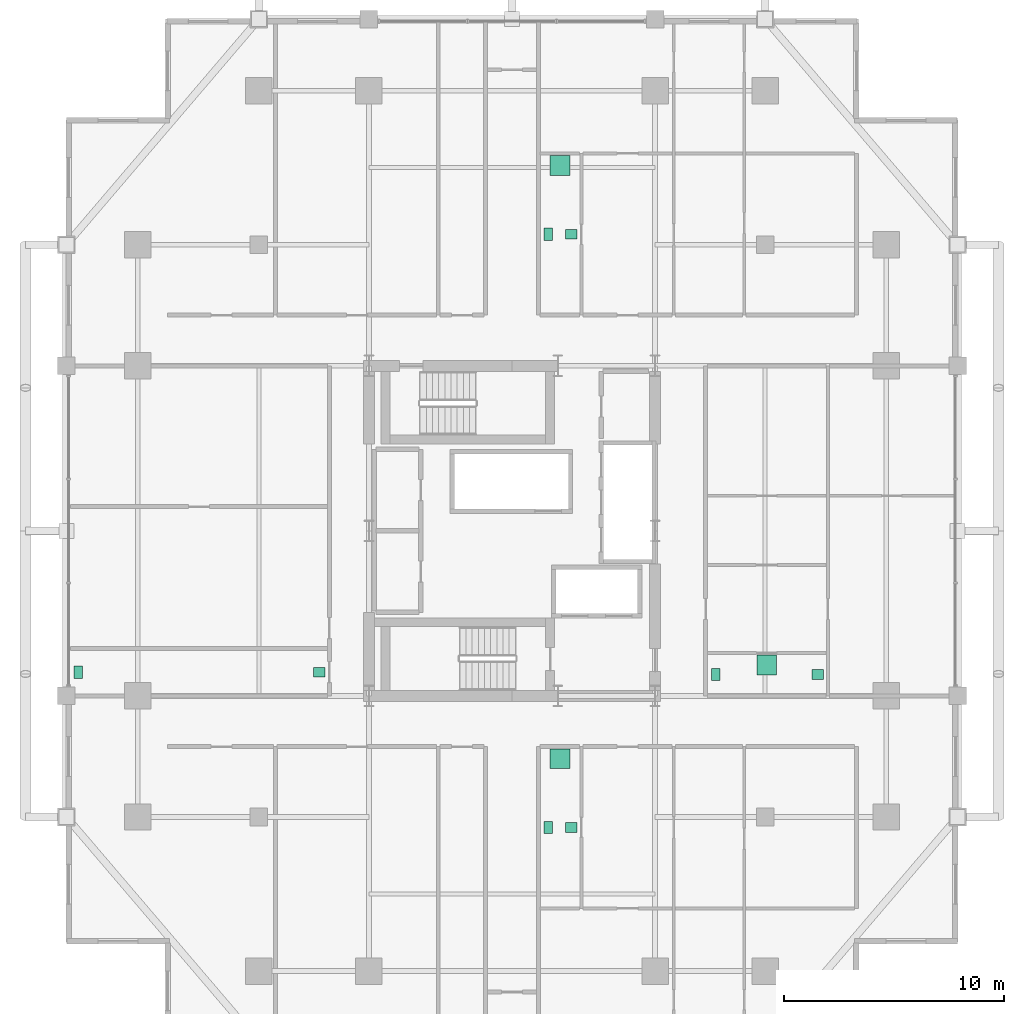
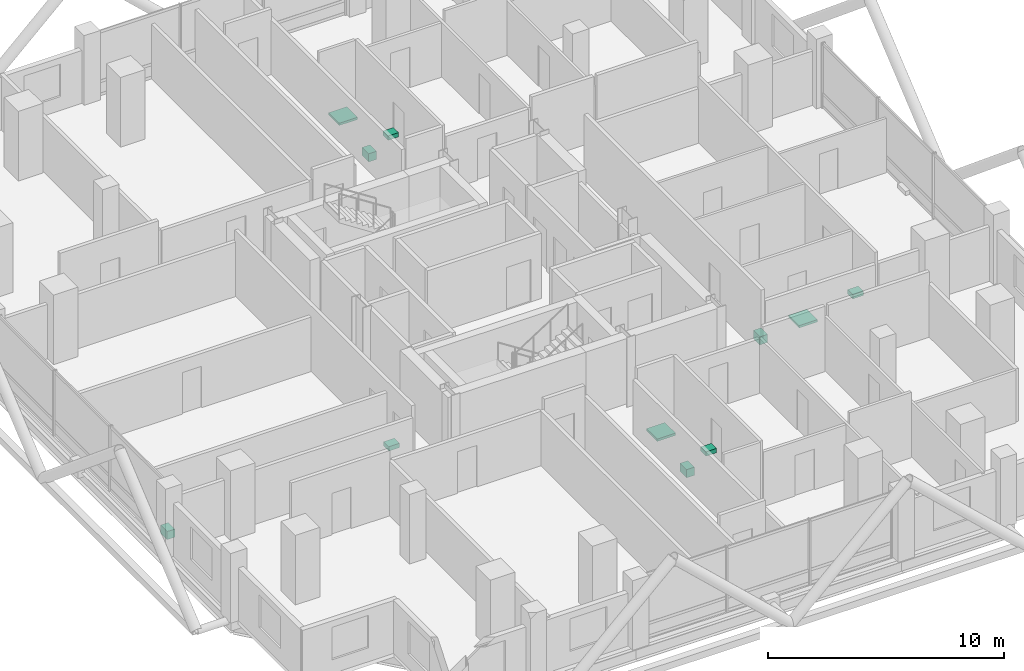
# One storey, part 24 of 24: 11 sanitary terminals.
"""IFC4 building model written with IfcOpenShell, lengths in metres."""

import ifcopenshell
import ifcopenshell.guid

model = None  # the IFC model being written
_history = None  # IfcOwnerHistory: only IFC2X3 demands one
_inside = {}  # id of a spatial element -> (the spatial element, [elements in it])
_under = {}  # id of a project, library or spatial element -> (it, [spatial elements below it])
_declared = {}  # id of a project -> (the project, [libraries it declares])
_typed = {}  # id of a type object -> (the type object, [elements of that type])
_made_of = {}  # id of a material, layer set ... -> (it, [elements and type objects made of it])


def new_model(schema):
    """Start an empty IFC model of exactly this schema.

    Asked for "IFC4X3", IfcOpenShell would pick the latest addendum, in which some entities
    have other attributes; the version numbers below select the first issue.
    IFC2X3 requires an IfcOwnerHistory on every rooted entity: one is made here for all.
    """
    global model, _history
    if schema == "IFC4X3":
        model = ifcopenshell.file(schema_version=(4, 3, 0, 0))
    else:
        model = ifcopenshell.file(schema=schema)
    _inside.clear()
    _under.clear()
    _declared.clear()
    _typed.clear()
    _made_of.clear()
    _history = None
    if model.schema == "IFC2X3":
        org = make("IfcOrganization", Name="unknown")
        user = make(
            "IfcPersonAndOrganization",
            ThePerson=make("IfcPerson", FamilyName="unknown"),
            TheOrganization=org,
        )
        app = make(
            "IfcApplication",
            ApplicationDeveloper=org,
            Version="unknown",
            ApplicationFullName="unknown",
            ApplicationIdentifier="unknown",
        )
        _history = make(
            "IfcOwnerHistory",
            OwningUser=user,
            OwningApplication=app,
            ChangeAction="ADDED",
            CreationDate=0,
        )
    return model


def make(cls, **values):
    """One entity of the class cls with the attributes given. An attribute that is None is left unset."""
    return model.create_entity(
        cls, **{name: value for name, value in values.items() if value is not None}
    )


def rooted(cls, **values):
    """An entity with a GlobalId (a new one), such as an element, a storey or a relation."""
    return make(cls, GlobalId=ifcopenshell.guid.new(), OwnerHistory=_history, **values)


def si_unit(unit_type, name, prefix=None):
    """IfcSIUnit, for example si_unit("LENGTHUNIT", "METRE", prefix="MILLI")."""
    return make("IfcSIUnit", UnitType=unit_type, Prefix=prefix, Name=name)


def assignment(units):
    """IfcUnitAssignment: the units of a project."""
    return None if units is None else make("IfcUnitAssignment", Units=units)


def point(xyz):
    """IfcCartesianPoint."""
    return None if xyz is None else make("IfcCartesianPoint", Coordinates=xyz)


def direction(xyz):
    """IfcDirection."""
    return None if xyz is None else make("IfcDirection", DirectionRatios=xyz)


def frame(location, z_axis=None, x_axis=None):
    """IfcAxis2Placement3D, a coordinate frame: its origin and axes. An axis left out is left unset."""
    return make(
        "IfcAxis2Placement3D",
        Location=point(location),
        Axis=direction(z_axis),
        RefDirection=direction(x_axis),
    )


def frame_2d(location, x_axis=None):
    """IfcAxis2Placement2D, a coordinate frame in the plane: its origin and x axis."""
    return make(
        "IfcAxis2Placement2D", Location=point(location), RefDirection=direction(x_axis)
    )


def origin():
    """The frame at (0, 0, 0) with its axes left unset."""
    return frame((0.0, 0.0, 0.0))


def origin_2d():
    """The frame at (0, 0) in the plane with its x axis left unset."""
    return frame_2d((0.0, 0.0))


def place(relative_to, where):
    """IfcLocalPlacement: puts the frame where relative to a parent placement (None: the world)."""
    return make(
        "IfcLocalPlacement", PlacementRelTo=relative_to, RelativePlacement=where
    )


def context(
    kind, dimensions, precision=None, world=None, true_north=None, identifier=None
):
    """IfcGeometricRepresentationContext, for example the 3D "Model" context."""
    return make(
        "IfcGeometricRepresentationContext",
        ContextIdentifier=identifier,
        ContextType=kind,
        CoordinateSpaceDimension=dimensions,
        Precision=precision,
        WorldCoordinateSystem=world,
        TrueNorth=true_north,
    )


def subcontext(parent, identifier, kind, view, scale=None):
    """IfcGeometricRepresentationSubContext, for example "Body" below "Model"."""
    return make(
        "IfcGeometricRepresentationSubContext",
        ContextIdentifier=identifier,
        ContextType=kind,
        ParentContext=parent,
        TargetScale=scale,
        TargetView=view,
    )


def project(units=None, contexts=None):
    """IfcProject with its units and contexts."""
    return rooted(
        "IfcProject",
        Name="project",
        RepresentationContexts=contexts,
        UnitsInContext=assignment(units),
    )


def spatial(cls, under=None, at=None, **own):
    """A site, building, storey or space (cls), placed at a placement, below another one or the project."""
    s = rooted(cls, ObjectPlacement=at, **own)
    if under is not None:
        _under.setdefault(under.id(), (under, []))[1].append(s)
    return s


def profile(cls, at=None, kind="AREA", **sizes):
    """A parametric profile (cls). Its sizes go by their IFC names, for example OverallWidth=200.0."""
    return make(cls, ProfileType=kind, Position=at, **sizes)


def rectangle(**sizes):
    """IfcRectangleProfileDef."""
    return profile("IfcRectangleProfileDef", **sizes)


def extrude(swept, where, along, depth):
    """IfcExtrudedAreaSolid: the profile swept, set in the frame where, extruded along a direction by depth."""
    return make(
        "IfcExtrudedAreaSolid",
        SweptArea=swept,
        Position=where,
        ExtrudedDirection=direction(along),
        Depth=depth,
    )


def shape(context_of_items, identifier, shape_type, items):
    """IfcShapeRepresentation: the items that make up one representation, for example the "Body"."""
    return make(
        "IfcShapeRepresentation",
        ContextOfItems=context_of_items,
        RepresentationIdentifier=identifier,
        RepresentationType=shape_type,
        Items=items,
    )


def material(Name=None, Category=None):
    """IfcMaterial."""
    return make("IfcMaterial", Name=Name, Category=Category)


def made_of(thing, what):
    """Note that an element or type object is made of a material, layer set ...; save() writes the relation."""
    if what is not None:
        _made_of.setdefault(what.id(), (what, []))[1].append(thing)
    return thing


def type_object(cls, material=None, **own):
    """A type object (cls), such as IfcWallType, which elements share."""
    return made_of(rooted(cls, **own), material)


def element(
    cls,
    number,
    at=None,
    inside=None,
    cuts=None,
    type_object=None,
    material=None,
    context=None,
    identifier="Body",
    shape_type=None,
    held_by="IfcProductDefinitionShape",
    body=None,
    shapes=None,
    **own,
):
    """One element of the class cls, such as IfcWall. Its Tag is "e" and its number.

    at: its placement. inside: the storey or other place that contains it. cuts: it is an
    opening in that element (IfcRelVoidsElement). A single representation is given by context,
    identifier, shape_type and body (its items); several are given by shapes. held_by: the class
    of the entity that holds the representations. save() writes the other relations.
    """
    e = rooted(cls, Tag="e%d" % number, ObjectPlacement=at, **own)
    if body is not None:
        shapes = [shape(context, identifier, shape_type, body)]
    if shapes is not None:
        e.Representation = make(held_by, Representations=shapes)
    if inside is not None:
        _inside.setdefault(inside.id(), (inside, []))[1].append(e)
    if cuts is not None:
        rooted(
            "IfcRelVoidsElement", RelatingBuildingElement=cuts, RelatedOpeningElement=e
        )
    if type_object is not None:
        _typed.setdefault(type_object.id(), (type_object, []))[1].append(e)
    return made_of(e, material)


def aggregate(whole, parts):
    """IfcRelAggregates: a whole, such as a stair, and the parts it consists of."""
    return rooted("IfcRelAggregates", RelatingObject=whole, RelatedObjects=parts)


def save(model, path):
    """Write the relations noted so far, then the file.

    IfcRelAggregates (storeys below a building ...), IfcRelContainedInSpatialStructure (elements
    in a storey), IfcRelDefinesByType, IfcRelAssociatesMaterial and IfcRelDeclares: one each for
    every whole, place, type object, material and project.
    """
    for whole, parts in _under.values():
        aggregate(whole, parts)
    for where, things in _inside.values():
        rooted(
            "IfcRelContainedInSpatialStructure",
            RelatedElements=things,
            RelatingStructure=where,
        )
    for kind, things in _typed.values():
        rooted("IfcRelDefinesByType", RelatedObjects=things, RelatingType=kind)
    for what, things in _made_of.values():
        rooted("IfcRelAssociatesMaterial", RelatedObjects=things, RelatingMaterial=what)
    for by, libraries in _declared.values():
        rooted("IfcRelDeclares", RelatingContext=by, RelatedDefinitions=libraries)
    model.write(path)


model = new_model("IFC4")

# Units and contexts
model_context = context("Model", 3, precision=1e-05, world=origin(), true_north=direction((0.0, 1.0)))
body_context = subcontext(model_context, "Body", "Model", "MODEL_VIEW")
ifc_project = project(units=[si_unit("LENGTHUNIT", "METRE"), si_unit("AREAUNIT", "SQUARE_METRE"), si_unit("VOLUMEUNIT", "CUBIC_METRE"), si_unit("PLANEANGLEUNIT", "RADIAN"), si_unit("MASSUNIT", "GRAM", prefix="KILO")], contexts=[model_context])

# Site, building, storey
site_placement = place(None, origin())
site = spatial("IfcSite", under=ifc_project, at=site_placement, CompositionType="ELEMENT")
building_placement = place(site_placement, origin())
building = spatial("IfcBuilding", under=site, at=building_placement, Name="Barlavira Tower and Art Museum", CompositionType="ELEMENT")
storey_placement = place(building_placement, frame((0.0, 0.0, 154.800048828125)))
storey = spatial("IfcBuildingStorey", under=building, at=storey_placement, Name="L39", CompositionType="ELEMENT", Elevation=154.800048828125)

# Sanitary terminals
ifc_material = material(Name="Vitreous glazed ceramic", Category="ceramic")
sanitary_terminal_type_1 = type_object("IfcSanitaryTerminalType", Name="Countertop Ceramic Wash Hand Basin", PredefinedType="WASHHANDBASIN", material=ifc_material)
for number, where, z_axis, x_axis, name in (
    (1, (2.699951171875, -13.47509765625, 0.73974609375), (0.0, 0.0, 1.0), (1.0, 0.0, 0.0), "L39-SE1-BTH1 Wash Basin"),
    (2, (2.699951171875, 13.47509765625, 0.73974609375), (0.0, 0.0, 1.0), (1.0, 0.0, 0.0), "L39-NE1-BTH1 Wash Basin"),
    (3, (-8.75, -6.425048828125, 0.73974609375), (0.0, 0.0, 1.0), (1.0, 0.0, 0.0), "L39-W-SWC Wash Basin"),
    (4, (13.89990234375, -6.52490234375, 0.73974609375), (0.0, 0.0, 1.0), (1.0, 0.0, 0.0), "L39-E1-BTH1 Wash Basin"),
):
    element("IfcSanitaryTerminal", number, at=place(storey_placement, frame(where, z_axis=z_axis, x_axis=x_axis)), inside=storey, type_object=sanitary_terminal_type_1, Name=name, PredefinedType="WASHHANDBASIN", context=body_context, shape_type="SweptSolid", body=[
        extrude(rectangle(XDim=0.52001953125, YDim=0.43994140625, at=origin_2d()), origin(), (0.0, 0.0, 1.0), 0.219970703125),
    ])
sanitary_terminal_type_2 = type_object("IfcSanitaryTerminalType", Name="Walk-In Thermostatic Rain Shower Unit", PredefinedType="SHOWER", material=ifc_material)
for number, where, z_axis, x_axis, name in (
    (5, (2.175048828125, -10.35009765625, 0.0), (0.0, 0.0, 1.0), (1.0, 0.0, 0.0), "L39-SE1-BTH1 Rain Shower"),
    (6, (2.175048828125, 16.60009765625, 0.0), (0.0, 0.0, 1.0), (1.0, 0.0, 0.0), "L39-NE1-BTH1 Rain Shower"),
    (7, (11.574951171875, -6.10009765625, 0.0), (0.0, 0.0, 1.0), (1.0, 0.0, 0.0), "L39-E1-BTH1 Rain Shower"),
):
    element("IfcSanitaryTerminal", number, at=place(storey_placement, frame(where, z_axis=z_axis, x_axis=x_axis)), inside=storey, type_object=sanitary_terminal_type_2, Name=name, PredefinedType="SHOWER", context=body_context, shape_type="SweptSolid", body=[
        extrude(rectangle(XDim=0.89990234375, YDim=0.89990234375, at=origin_2d()), origin(), (0.0, 0.0, 1.0), 0.1201171875),
    ])
sanitary_terminal_type_3 = type_object("IfcSanitaryTerminalType", Name="Wall-Hung Dual-Flush Vitreous WC Pan", PredefinedType="TOILETPAN", material=ifc_material)
for number, where, z_axis, x_axis, name in (
    (8, (1.64990234375, -13.47509765625, 0.0), (0.0, 0.0, 1.0), (1.0, 0.0, 0.0), "L39-SE1-BTH1 WC Pan"),
    (9, (1.64990234375, 13.47509765625, 0.0), (0.0, 0.0, 1.0), (1.0, 0.0, 0.0), "L39-NE1-BTH1 WC Pan"),
    (10, (-19.699951171875, -6.425048828125, 0.0), (0.0, 0.0, 1.0), (1.0, 0.0, 0.0), "L39-W-SWC WC Pan"),
    (11, (9.25, -6.52490234375, 0.0), (0.0, 0.0, 1.0), (1.0, 0.0, 0.0), "L39-E1-BTH1 WC Pan"),
):
    element("IfcSanitaryTerminal", number, at=place(storey_placement, frame(where, z_axis=z_axis, x_axis=x_axis)), inside=storey, type_object=sanitary_terminal_type_3, Name=name, PredefinedType="TOILETPAN", context=body_context, shape_type="SweptSolid", body=[
        extrude(rectangle(XDim=0.3798828125, YDim=0.56005859375, at=origin_2d()), origin(), (0.0, 0.0, 1.0), 0.419921875),
    ])

save(model, "model.ifc")
